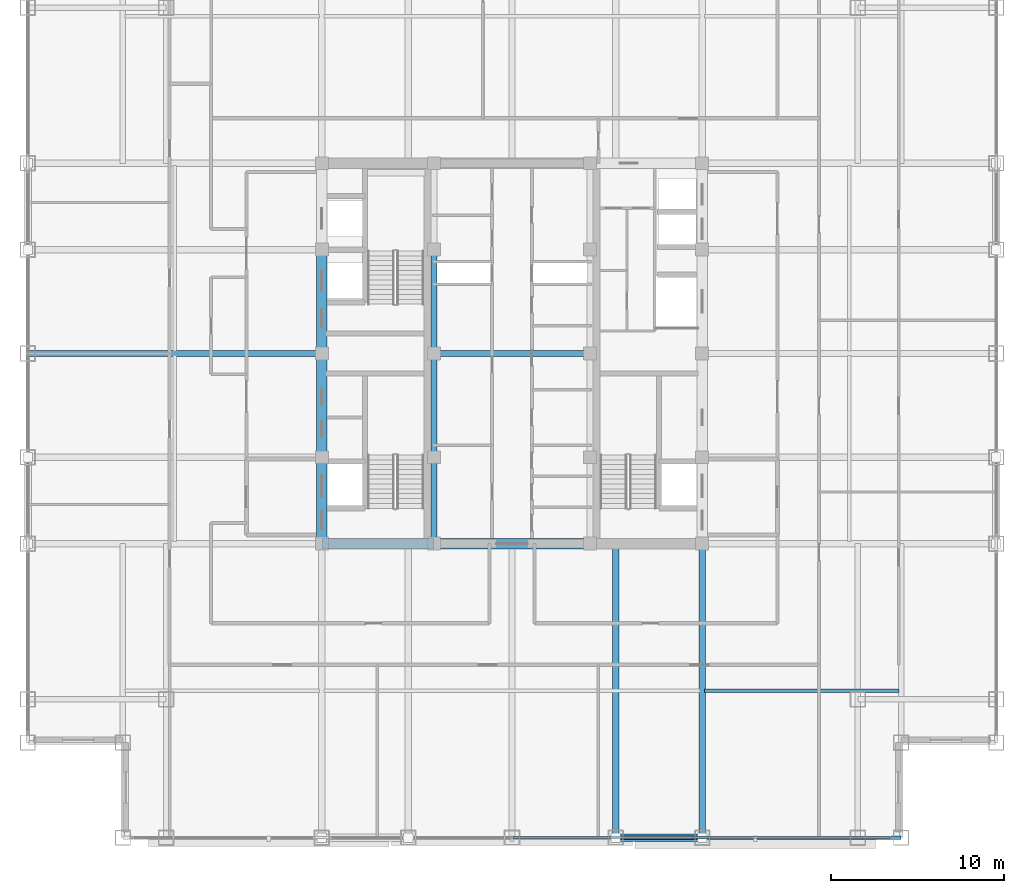
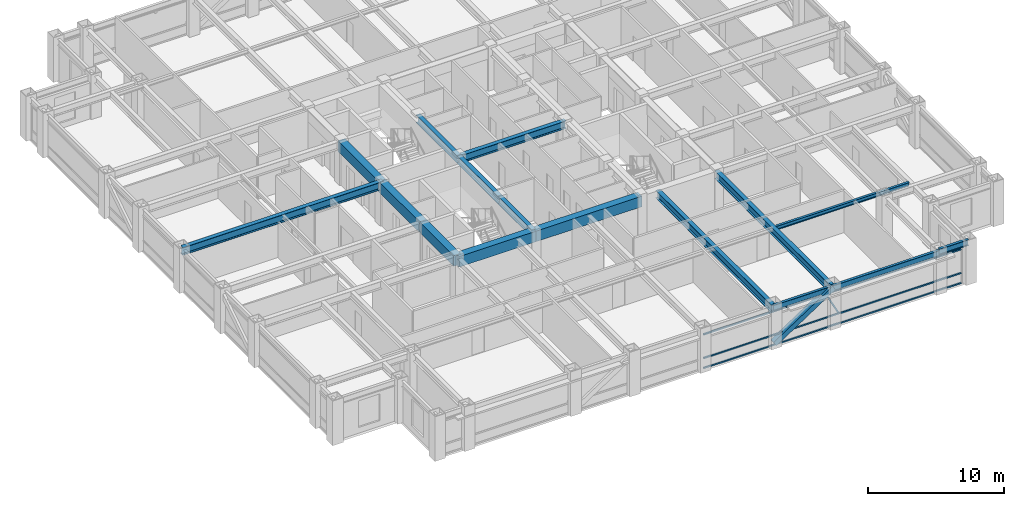
# One storey, part 7 of 27: 16 beams, 5 members, 1 element without a shape of its own.
"""IFC4 building model written with IfcOpenShell, lengths in metres."""

import ifcopenshell
import ifcopenshell.guid

model = None  # the IFC model being written
_history = None  # IfcOwnerHistory: only IFC2X3 demands one
_inside = {}  # id of a spatial element -> (the spatial element, [elements in it])
_under = {}  # id of a project, library or spatial element -> (it, [spatial elements below it])
_declared = {}  # id of a project -> (the project, [libraries it declares])
_typed = {}  # id of a type object -> (the type object, [elements of that type])
_made_of = {}  # id of a material, layer set ... -> (it, [elements and type objects made of it])


def new_model(schema):
    """Start an empty IFC model of exactly this schema.

    Asked for "IFC4X3", IfcOpenShell would pick the latest addendum, in which some entities
    have other attributes; the version numbers below select the first issue.
    IFC2X3 requires an IfcOwnerHistory on every rooted entity: one is made here for all.
    """
    global model, _history
    if schema == "IFC4X3":
        model = ifcopenshell.file(schema_version=(4, 3, 0, 0))
    else:
        model = ifcopenshell.file(schema=schema)
    _inside.clear()
    _under.clear()
    _declared.clear()
    _typed.clear()
    _made_of.clear()
    _history = None
    if model.schema == "IFC2X3":
        org = make("IfcOrganization", Name="unknown")
        user = make(
            "IfcPersonAndOrganization",
            ThePerson=make("IfcPerson", FamilyName="unknown"),
            TheOrganization=org,
        )
        app = make(
            "IfcApplication",
            ApplicationDeveloper=org,
            Version="unknown",
            ApplicationFullName="unknown",
            ApplicationIdentifier="unknown",
        )
        _history = make(
            "IfcOwnerHistory",
            OwningUser=user,
            OwningApplication=app,
            ChangeAction="ADDED",
            CreationDate=0,
        )
    return model


def make(cls, **values):
    """One entity of the class cls with the attributes given. An attribute that is None is left unset."""
    return model.create_entity(
        cls, **{name: value for name, value in values.items() if value is not None}
    )


def rooted(cls, **values):
    """An entity with a GlobalId (a new one), such as an element, a storey or a relation."""
    return make(cls, GlobalId=ifcopenshell.guid.new(), OwnerHistory=_history, **values)


def si_unit(unit_type, name, prefix=None):
    """IfcSIUnit, for example si_unit("LENGTHUNIT", "METRE", prefix="MILLI")."""
    return make("IfcSIUnit", UnitType=unit_type, Prefix=prefix, Name=name)


def assignment(units):
    """IfcUnitAssignment: the units of a project."""
    return None if units is None else make("IfcUnitAssignment", Units=units)


def point(xyz):
    """IfcCartesianPoint."""
    return None if xyz is None else make("IfcCartesianPoint", Coordinates=xyz)


def direction(xyz):
    """IfcDirection."""
    return None if xyz is None else make("IfcDirection", DirectionRatios=xyz)


def frame(location, z_axis=None, x_axis=None):
    """IfcAxis2Placement3D, a coordinate frame: its origin and axes. An axis left out is left unset."""
    return make(
        "IfcAxis2Placement3D",
        Location=point(location),
        Axis=direction(z_axis),
        RefDirection=direction(x_axis),
    )


def frame_2d(location, x_axis=None):
    """IfcAxis2Placement2D, a coordinate frame in the plane: its origin and x axis."""
    return make(
        "IfcAxis2Placement2D", Location=point(location), RefDirection=direction(x_axis)
    )


def origin():
    """The frame at (0, 0, 0) with its axes left unset."""
    return frame((0.0, 0.0, 0.0))


def origin_2d():
    """The frame at (0, 0) in the plane with its x axis left unset."""
    return frame_2d((0.0, 0.0))


def place(relative_to, where):
    """IfcLocalPlacement: puts the frame where relative to a parent placement (None: the world)."""
    return make(
        "IfcLocalPlacement", PlacementRelTo=relative_to, RelativePlacement=where
    )


def context(
    kind, dimensions, precision=None, world=None, true_north=None, identifier=None
):
    """IfcGeometricRepresentationContext, for example the 3D "Model" context."""
    return make(
        "IfcGeometricRepresentationContext",
        ContextIdentifier=identifier,
        ContextType=kind,
        CoordinateSpaceDimension=dimensions,
        Precision=precision,
        WorldCoordinateSystem=world,
        TrueNorth=true_north,
    )


def subcontext(parent, identifier, kind, view, scale=None):
    """IfcGeometricRepresentationSubContext, for example "Body" below "Model"."""
    return make(
        "IfcGeometricRepresentationSubContext",
        ContextIdentifier=identifier,
        ContextType=kind,
        ParentContext=parent,
        TargetScale=scale,
        TargetView=view,
    )


def project(units=None, contexts=None):
    """IfcProject with its units and contexts."""
    return rooted(
        "IfcProject",
        Name="project",
        RepresentationContexts=contexts,
        UnitsInContext=assignment(units),
    )


def spatial(cls, under=None, at=None, **own):
    """A site, building, storey or space (cls), placed at a placement, below another one or the project."""
    s = rooted(cls, ObjectPlacement=at, **own)
    if under is not None:
        _under.setdefault(under.id(), (under, []))[1].append(s)
    return s


def profile(cls, at=None, kind="AREA", **sizes):
    """A parametric profile (cls). Its sizes go by their IFC names, for example OverallWidth=200.0."""
    return make(cls, ProfileType=kind, Position=at, **sizes)


def rectangle(**sizes):
    """IfcRectangleProfileDef."""
    return profile("IfcRectangleProfileDef", **sizes)


def hollow_rectangle(**sizes):
    """IfcRectangleHollowProfileDef."""
    return profile("IfcRectangleHollowProfileDef", **sizes)


def i_section(**sizes):
    """IfcIShapeProfileDef."""
    return profile("IfcIShapeProfileDef", **sizes)


def extrude(swept, where, along, depth):
    """IfcExtrudedAreaSolid: the profile swept, set in the frame where, extruded along a direction by depth."""
    return make(
        "IfcExtrudedAreaSolid",
        SweptArea=swept,
        Position=where,
        ExtrudedDirection=direction(along),
        Depth=depth,
    )


def shape(context_of_items, identifier, shape_type, items):
    """IfcShapeRepresentation: the items that make up one representation, for example the "Body"."""
    return make(
        "IfcShapeRepresentation",
        ContextOfItems=context_of_items,
        RepresentationIdentifier=identifier,
        RepresentationType=shape_type,
        Items=items,
    )


def source(mapping_origin, context_of_items, identifier, shape_type, items):
    """IfcRepresentationMap: a shape defined once, which mapped items show again and again."""
    return make(
        "IfcRepresentationMap",
        MappingOrigin=mapping_origin,
        MappedRepresentation=shape(context_of_items, identifier, shape_type, items),
    )


def transform(
    local_origin,
    x_axis=None,
    y_axis=None,
    z_axis=None,
    scale=None,
    scale2=None,
    scale3=None,
    uniform=True,
):
    """IfcCartesianTransformationOperator3D, or its non-uniform kind. x_axis, y_axis, z_axis: its Axis1, 2, 3."""
    if uniform:
        return make(
            "IfcCartesianTransformationOperator3D",
            Axis1=direction(x_axis),
            Axis2=direction(y_axis),
            LocalOrigin=point(local_origin),
            Scale=scale,
            Axis3=direction(z_axis),
        )
    return make(
        "IfcCartesianTransformationOperator3DnonUniform",
        Axis1=direction(x_axis),
        Axis2=direction(y_axis),
        LocalOrigin=point(local_origin),
        Scale=scale,
        Axis3=direction(z_axis),
        Scale2=scale2,
        Scale3=scale3,
    )


def mapped(mapping_source, mapping_target):
    """IfcMappedItem: shows the shape of a source again, moved by a transform."""
    return make(
        "IfcMappedItem", MappingSource=mapping_source, MappingTarget=mapping_target
    )


def material(Name=None, Category=None):
    """IfcMaterial."""
    return make("IfcMaterial", Name=Name, Category=Category)


def material_profile(
    of_material, cross_section, Name=None, Category=None, Priority=None
):
    """IfcMaterialProfile: a cross section and its material."""
    return make(
        "IfcMaterialProfile",
        Name=Name,
        Material=of_material,
        Profile=cross_section,
        Priority=Priority,
        Category=Category,
    )


def profile_set(profiles, Name=None, composite=None):
    """IfcMaterialProfileSet."""
    return make(
        "IfcMaterialProfileSet",
        Name=Name,
        MaterialProfiles=profiles,
        CompositeProfile=composite,
    )


def made_of(thing, what):
    """Note that an element or type object is made of a material, layer set ...; save() writes the relation."""
    if what is not None:
        _made_of.setdefault(what.id(), (what, []))[1].append(thing)
    return thing


def type_object(cls, material=None, **own):
    """A type object (cls), such as IfcWallType, which elements share."""
    return made_of(rooted(cls, **own), material)


def element(
    cls,
    number,
    at=None,
    inside=None,
    cuts=None,
    type_object=None,
    material=None,
    context=None,
    identifier="Body",
    shape_type=None,
    held_by="IfcProductDefinitionShape",
    body=None,
    shapes=None,
    **own,
):
    """One element of the class cls, such as IfcWall. Its Tag is "e" and its number.

    at: its placement. inside: the storey or other place that contains it. cuts: it is an
    opening in that element (IfcRelVoidsElement). A single representation is given by context,
    identifier, shape_type and body (its items); several are given by shapes. held_by: the class
    of the entity that holds the representations. save() writes the other relations.
    """
    e = rooted(cls, Tag="e%d" % number, ObjectPlacement=at, **own)
    if body is not None:
        shapes = [shape(context, identifier, shape_type, body)]
    if shapes is not None:
        e.Representation = make(held_by, Representations=shapes)
    if inside is not None:
        _inside.setdefault(inside.id(), (inside, []))[1].append(e)
    if cuts is not None:
        rooted(
            "IfcRelVoidsElement", RelatingBuildingElement=cuts, RelatedOpeningElement=e
        )
    if type_object is not None:
        _typed.setdefault(type_object.id(), (type_object, []))[1].append(e)
    return made_of(e, material)


def aggregate(whole, parts):
    """IfcRelAggregates: a whole, such as a stair, and the parts it consists of."""
    return rooted("IfcRelAggregates", RelatingObject=whole, RelatedObjects=parts)


def save(model, path):
    """Write the relations noted so far, then the file.

    IfcRelAggregates (storeys below a building ...), IfcRelContainedInSpatialStructure (elements
    in a storey), IfcRelDefinesByType, IfcRelAssociatesMaterial and IfcRelDeclares: one each for
    every whole, place, type object, material and project.
    """
    for whole, parts in _under.values():
        aggregate(whole, parts)
    for where, things in _inside.values():
        rooted(
            "IfcRelContainedInSpatialStructure",
            RelatedElements=things,
            RelatingStructure=where,
        )
    for kind, things in _typed.values():
        rooted("IfcRelDefinesByType", RelatedObjects=things, RelatingType=kind)
    for what, things in _made_of.values():
        rooted("IfcRelAssociatesMaterial", RelatedObjects=things, RelatingMaterial=what)
    for by, libraries in _declared.values():
        rooted("IfcRelDeclares", RelatingContext=by, RelatedDefinitions=libraries)
    model.write(path)


model = new_model("IFC4")

# Units and contexts
model_context = context("Model", 3, precision=1e-05, world=origin(), true_north=direction((0.0, 1.0)))
body_context = subcontext(model_context, "Body", "Model", "MODEL_VIEW")
ifc_project = project(units=[si_unit("LENGTHUNIT", "METRE"), si_unit("AREAUNIT", "SQUARE_METRE"), si_unit("VOLUMEUNIT", "CUBIC_METRE"), si_unit("PLANEANGLEUNIT", "RADIAN"), si_unit("MASSUNIT", "GRAM", prefix="KILO")], contexts=[model_context])

# Site, building, storey
site_placement = place(None, origin())
site = spatial("IfcSite", under=ifc_project, at=site_placement, CompositionType="ELEMENT")
building_placement = place(site_placement, origin())
building = spatial("IfcBuilding", under=site, at=building_placement, Name="Khorayat Bourse Tower", CompositionType="ELEMENT")
storey_placement = place(building_placement, frame((0.0, 0.0, 317.5)))
storey = spatial("IfcBuildingStorey", under=building, at=storey_placement, Name="L75", CompositionType="ELEMENT", Elevation=317.5)

# Beams
ifc_material_1 = material(Name="Steel ASTM A992 Grade 50", Category="steel")
ifc_material_profile_1 = material_profile(ifc_material_1, i_section(OverallWidth=0.35498046875, OverallDepth=0.695068359375, WebThickness=0.015380859375, FlangeThickness=0.02490234375, FilletRadius=0.01806640625, at=origin_2d()), Name="W690X217")
ifc_profile_set_1 = profile_set([ifc_material_profile_1], Name="Steel ASTM A992 Grade 50")
beam_type_1 = type_object("IfcBeamType", Name="BM-GIRD-690", PredefinedType="BEAM", material=ifc_profile_set_1)
shared_shape_1 = source(origin(), body_context, "Body", "SweptSolid", [
    extrude(i_section(OverallWidth=0.35498046875, OverallDepth=0.695068359375, WebThickness=0.015380859375, FlangeThickness=0.02490234375, FilletRadius=0.01806640625, at=origin_2d()), origin(), (0.0, 0.0, 1.0), 5.0),
])
beam_1_placement = place(storey_placement, frame((-4.5, -11.0, 3.4326171875), z_axis=(0.0, 1.0, 0.0), x_axis=(-1.0, 0.0, 0.0)))
element("IfcBeam", 1, at=beam_1_placement, inside=storey, type_object=beam_type_1, Name="L75 BM-GIRD-690 BM-L75-CRX-05", PredefinedType="BEAM", context=body_context, shape_type="MappedRepresentation", body=[
    mapped(shared_shape_1, transform((0.0, 0.0, 0.0), scale=1.0)),
])
shared_shape_2 = source(origin(), body_context, "Body", "SweptSolid", [
    extrude(i_section(OverallWidth=0.35498046875, OverallDepth=0.695068359375, WebThickness=0.015380859375, FlangeThickness=0.02490234375, FilletRadius=0.01806640625, at=origin_2d()), origin(), (0.0, 0.0, 1.0), 6.0),
])
for number, where, z_axis, x_axis, name in (
    (2, (-4.5, -6.0, 3.4326171875), (0.0, 1.0, 0.0), (-1.0, 0.0, 0.0), "L75 BM-GIRD-690 BM-L75-CRX-06"),
    (3, (-4.5, 0.0, 3.4326171875), (0.0, 1.0, 0.0), (-1.0, 0.0, 0.0), "L75 BM-GIRD-690 BM-L75-CRX-07"),
):
    element("IfcBeam", number, at=place(storey_placement, frame(where, z_axis=z_axis, x_axis=x_axis)), inside=storey, type_object=beam_type_1, Name=name, PredefinedType="BEAM", context=body_context, shape_type="MappedRepresentation", body=[
        mapped(shared_shape_2, transform((0.0, 0.0, 0.0), scale=1.0)),
    ])
shared_shape_3 = source(origin(), body_context, "Body", "SweptSolid", [
    extrude(i_section(OverallWidth=0.35498046875, OverallDepth=0.695068359375, WebThickness=0.015380859375, FlangeThickness=0.02490234375, FilletRadius=0.01806640625, at=origin_2d()), origin(), (0.0, 0.0, 1.0), 9.0),
])
beam_2_placement = place(storey_placement, frame((-4.5, 0.0, 3.4326171875), z_axis=(1.0, 0.0, 0.0), x_axis=(0.0, 1.0, 0.0)))
element("IfcBeam", 4, at=beam_2_placement, inside=storey, type_object=beam_type_1, Name="L75 BM-GIRD-690 BM-L75-CRY-23", PredefinedType="BEAM", context=body_context, shape_type="MappedRepresentation", body=[
    mapped(shared_shape_3, transform((0.0, 0.0, 0.0), scale=1.0)),
])
ifc_material_2 = material(Name="Concrete C60/75", Category="concrete")
ifc_material_profile_2 = material_profile(ifc_material_2, rectangle(XDim=0.60009765625, YDim=0.949951171875, at=origin_2d()), Name="RC 600x950")
ifc_profile_set_2 = profile_set([ifc_material_profile_2], Name="Concrete C60/75")
beam_type_2 = type_object("IfcBeamType", Name="BM-COUP-950", PredefinedType="BEAM", material=ifc_profile_set_2)
shared_shape_4 = source(origin(), body_context, "Body", "SweptSolid", [
    extrude(rectangle(XDim=0.60009765625, YDim=0.949951171875, at=origin_2d()), origin(), (0.0, 0.0, 1.0), 5.0),
])
beam_3_placement = place(storey_placement, frame((-11.0, -11.0, 3.304931640625), z_axis=(0.0, 1.0, 0.0), x_axis=(-1.0, 0.0, 0.0)))
element("IfcBeam", 5, at=beam_3_placement, inside=storey, type_object=beam_type_2, Name="L75 BM-COUP-950 BM-L75-CRX-01", PredefinedType="BEAM", context=body_context, shape_type="MappedRepresentation", body=[
    mapped(shared_shape_4, transform((0.0, 0.0, 0.0), scale=1.0)),
])
shared_shape_5 = source(origin(), body_context, "Body", "SweptSolid", [
    extrude(rectangle(XDim=0.60009765625, YDim=0.949951171875, at=origin_2d()), origin(), (0.0, 0.0, 1.0), 6.0),
])
for number, where, z_axis, x_axis, name in (
    (6, (-11.0, -6.0, 3.304931640625), (0.0, 1.0, 0.0), (-1.0, 0.0, 0.0), "L75 BM-COUP-950 BM-L75-CRX-02"),
    (7, (-11.0, 0.0, 3.304931640625), (0.0, 1.0, 0.0), (-1.0, 0.0, 0.0), "L75 BM-COUP-950 BM-L75-CRX-03"),
):
    element("IfcBeam", number, at=place(storey_placement, frame(where, z_axis=z_axis, x_axis=x_axis)), inside=storey, type_object=beam_type_2, Name=name, PredefinedType="BEAM", context=body_context, shape_type="MappedRepresentation", body=[
        mapped(shared_shape_5, transform((0.0, 0.0, 0.0), scale=1.0)),
    ])
shared_shape_6 = source(origin(), body_context, "Body", "SweptSolid", [
    extrude(rectangle(XDim=0.60009765625, YDim=0.949951171875, at=origin_2d()), origin(), (0.0, 0.0, 1.0), 6.5),
])
beam_4_placement = place(storey_placement, frame((-11.0, -11.0, 3.304931640625), z_axis=(1.0, 0.0, 0.0), x_axis=(0.0, 1.0, 0.0)))
element("IfcBeam", 8, at=beam_4_placement, inside=storey, type_object=beam_type_2, Name="L75 BM-COUP-950 BM-L75-CRY-17", PredefinedType="BEAM", context=body_context, shape_type="MappedRepresentation", body=[
    mapped(shared_shape_6, transform((0.0, 0.0, 0.0), scale=1.0)),
])
shared_shape_7 = source(origin(), body_context, "Body", "SweptSolid", [
    extrude(rectangle(XDim=0.60009765625, YDim=0.949951171875, at=origin_2d()), origin(), (0.0, 0.0, 1.0), 9.0),
])
beam_5_placement = place(storey_placement, frame((-4.5, -11.0, 3.304931640625), z_axis=(1.0, 0.0, 0.0), x_axis=(0.0, 1.0, 0.0)))
element("IfcBeam", 9, at=beam_5_placement, inside=storey, type_object=beam_type_2, Name="L75 BM-COUP-950 BM-L75-CRY-18", PredefinedType="BEAM", context=body_context, shape_type="MappedRepresentation", body=[
    mapped(shared_shape_7, transform((0.0, 0.0, 0.0), scale=1.0)),
])

# Member
ifc_material_3 = material(Name="Steel EN 10025-4 S460M", Category="steel")
ifc_material_profile_3 = material_profile(ifc_material_3, hollow_rectangle(XDim=0.449951171875, YDim=0.449951171875, WallThickness=0.02490234375, at=origin_2d()), Name="HSS 450x450x25")
ifc_profile_set_3 = profile_set([ifc_material_profile_3], Name="Steel EN 10025-4 S460M")
member_type_1 = type_object("IfcMemberType", Name="MBR-TUBE-450", PredefinedType="BRACE", material=ifc_profile_set_3)
shared_shape_8 = source(origin(), body_context, "Body", "SweptSolid", [
    extrude(hollow_rectangle(XDim=0.449951171875, YDim=0.449951171875, WallThickness=0.02490234375, at=origin_2d()), origin(), (0.0, 0.0, 1.0), 5.979736328125),
])
member_1_placement = place(storey_placement, frame((6.0, -28.0, 0.25), z_axis=(0.836141536525, 0.0, 0.548513747227), x_axis=(0.0, 1.0, 0.0)))
element("IfcMember", 10, at=member_1_placement, inside=storey, type_object=member_type_1, Name="L75 Perimeter Tube Brace 02", PredefinedType="BRACE", context=body_context, shape_type="MappedRepresentation", body=[
    mapped(shared_shape_8, transform((0.0, 0.0, 0.0), scale=1.0)),
])

# Beams
shared_shape_9 = source(origin(), body_context, "Body", "SweptSolid", [
    extrude(i_section(OverallWidth=0.35498046875, OverallDepth=0.695068359375, WebThickness=0.015380859375, FlangeThickness=0.02490234375, FilletRadius=0.01806640625, at=origin_2d()), origin(), (0.0, 0.0, 1.0), 17.0),
])
for number, where, z_axis, x_axis, name in (
    (11, (6.0, -28.0, 3.3125), (0.0, 1.0, 0.0), (-1.0, 0.0, 0.0), "L75 BM-GIRD-690 BM-L75-RADY-071"),
    (12, (11.0, -28.0, 3.3125), (0.0, 1.0, 0.0), (-1.0, 0.0, 0.0), "L75 BM-GIRD-690 BM-L75-RADY-073"),
    (13, (-28.0, 0.0, 3.4326171875), (1.0, 0.0, 0.0), (0.0, 1.0, 0.0), "L75 BM-GIRD-690 BM-L75-RADX-079"),
):
    element("IfcBeam", number, at=place(storey_placement, frame(where, z_axis=z_axis, x_axis=x_axis)), inside=storey, type_object=beam_type_1, Name=name, PredefinedType="BEAM", context=body_context, shape_type="MappedRepresentation", body=[
        mapped(shared_shape_9, transform((0.0, 0.0, 0.0), scale=1.0)),
    ])
ifc_material_profile_4 = material_profile(ifc_material_1, i_section(OverallWidth=0.202880859375, OverallDepth=0.346923828125, WebThickness=0.0078125, FlangeThickness=0.013427734375, FilletRadius=0.010009765625, at=origin_2d()), Name="W360X64")
ifc_profile_set_4 = profile_set([ifc_material_profile_4], Name="Steel ASTM A992 Grade 50")
beam_type_3 = type_object("IfcBeamType", Name="BM-JOIST-360", PredefinedType="JOIST", material=ifc_profile_set_4)
shared_shape_10 = source(origin(), body_context, "Body", "SweptSolid", [
    extrude(i_section(OverallWidth=0.202880859375, OverallDepth=0.346923828125, WebThickness=0.0078125, FlangeThickness=0.013427734375, FilletRadius=0.010009765625, at=origin_2d()), origin(), (0.0, 0.0, 1.0), 11.240234375),
])
beam_6_placement = place(storey_placement, frame((11.1298828125, -19.5, 3.6064453125), z_axis=(1.0, 0.0, 0.0), x_axis=(0.0, 1.0, 0.0)))
element("IfcBeam", 14, at=beam_6_placement, inside=storey, type_object=beam_type_3, Name="L75 BM-JOIST-360 BM-L75-JSTX-098", PredefinedType="JOIST", context=body_context, shape_type="MappedRepresentation", body=[
    mapped(shared_shape_10, transform((0.0, 0.0, 0.0), scale=1.0)),
])
ifc_material_profile_5 = material_profile(ifc_material_1, i_section(OverallWidth=0.214111328125, OverallDepth=0.549072265625, WebThickness=0.0146484375, FlangeThickness=0.023681640625, FilletRadius=0.013916015625, at=origin_2d()), Name="W530X138")
ifc_profile_set_5 = profile_set([ifc_material_profile_5], Name="Steel ASTM A992 Grade 50")
beam_type_4 = type_object("IfcBeamType", Name="BM-SPAN-530", PredefinedType="SPANDREL", material=ifc_profile_set_5)
shared_shape_11 = source(origin(), body_context, "Body", "SweptSolid", [
    extrude(i_section(OverallWidth=0.214111328125, OverallDepth=0.549072265625, WebThickness=0.0146484375, FlangeThickness=0.023681640625, FilletRadius=0.013916015625, at=origin_2d()), origin(), (0.0, 0.0, 1.0), 2.5),
])
beam_7_placement = place(storey_placement, frame((20.0, -28.0, 3.505615234375), z_axis=(1.0, 0.0, 0.0), x_axis=(0.0, 1.0, 0.0)))
element("IfcBeam", 15, at=beam_7_placement, inside=storey, type_object=beam_type_4, Name="L75 BM-SPAN-530 BM-L75-SPN-031", PredefinedType="SPANDREL", context=body_context, shape_type="MappedRepresentation", body=[
    mapped(shared_shape_11, transform((0.0, 0.0, 0.0), scale=1.0)),
])
shared_shape_12 = source(origin(), body_context, "Body", "SweptSolid", [
    extrude(i_section(OverallWidth=0.214111328125, OverallDepth=0.549072265625, WebThickness=0.0146484375, FlangeThickness=0.023681640625, FilletRadius=0.013916015625, at=origin_2d()), origin(), (0.0, 0.0, 1.0), 9.0),
])
beam_8_placement = place(storey_placement, frame((11.0, -28.0, 3.385498046875), z_axis=(1.0, 0.0, 0.0), x_axis=(0.0, 1.0, 0.0)))
element("IfcBeam", 16, at=beam_8_placement, inside=storey, type_object=beam_type_4, Name="L75 BM-SPAN-530 BM-L75-SPN-030", PredefinedType="SPANDREL", context=body_context, shape_type="MappedRepresentation", body=[
    mapped(shared_shape_12, transform((0.0, 0.0, 0.0), scale=1.0)),
])
shared_shape_13 = source(origin(), body_context, "Body", "SweptSolid", [
    extrude(i_section(OverallWidth=0.214111328125, OverallDepth=0.549072265625, WebThickness=0.0146484375, FlangeThickness=0.023681640625, FilletRadius=0.013916015625, at=origin_2d()), origin(), (0.0, 0.0, 1.0), 5.0),
])
beam_9_placement = place(storey_placement, frame((6.0, -28.0, 3.385498046875), z_axis=(1.0, 0.0, 0.0), x_axis=(0.0, 1.0, 0.0)))
element("IfcBeam", 17, at=beam_9_placement, inside=storey, type_object=beam_type_4, Name="L75 BM-SPAN-530 BM-L75-SPN-029", PredefinedType="SPANDREL", context=body_context, shape_type="MappedRepresentation", body=[
    mapped(shared_shape_13, transform((0.0, 0.0, 0.0), scale=1.0)),
])

# Curtain wall, members
ifc_material_4 = material(Name="Aluminium EN AW-6063 T6", Category="aluminium")
curtain_wall_type = type_object("IfcCurtainWallType", Name="CW-SYS-04", PredefinedType="NOTDEFINED", material=ifc_material_4)
curtain_wall_placement = place(storey_placement, origin())
curtain_wall = element("IfcCurtainWall", 18, at=curtain_wall_placement, inside=storey, type_object=curtain_wall_type, Name="L75 Curtain Wall CW-L75-S1", PredefinedType="NOTDEFINED")
ifc_material_profile_6 = material_profile(ifc_material_4, hollow_rectangle(XDim=0.1201171875, YDim=0.1201171875, WallThickness=0.0048828125, at=origin_2d()), Name="ALU 120x120x5")
ifc_profile_set_6 = profile_set([ifc_material_profile_6], Name="Aluminium EN AW-6063 T6")
member_type_2 = type_object("IfcMemberType", Name="CWM-DIAG-120", PredefinedType="MULLION", material=ifc_profile_set_6)
shared_shape_14 = source(origin(), body_context, "Body", "SweptSolid", [
    extrude(hollow_rectangle(XDim=0.1201171875, YDim=0.1201171875, WallThickness=0.0048828125, at=origin_2d()), origin(), (0.0, 0.0, 1.0), 2.0791015625),
])
member_2_placement = place(storey_placement, frame((11.4541015625, -28.0, 1.090087890625), z_axis=(-0.465717394116, 0.0, 0.884933505309), x_axis=(0.0, -1.0, 0.0)))
member_2 = element("IfcMember", 19, at=member_2_placement, type_object=member_type_2, Name="CW-L75-S1 Faceted Diagonal Mullion 2", PredefinedType="MULLION", context=body_context, shape_type="MappedRepresentation", body=[
    mapped(shared_shape_14, transform((0.0, 0.0, 0.0), scale=1.0)),
])
ifc_material_profile_7 = material_profile(ifc_material_4, hollow_rectangle(XDim=0.1201171875, YDim=0.1201171875, WallThickness=0.0048828125, at=origin_2d()), Name="ALU 120x120x5")
ifc_profile_set_7 = profile_set([ifc_material_profile_7], Name="Aluminium EN AW-6063 T6")
member_type_3 = type_object("IfcMemberType", Name="CWT-HORZ-120", PredefinedType="USERDEFINED", material=ifc_profile_set_7)
shared_shape_15 = source(origin(), body_context, "Body", "SweptSolid", [
    extrude(hollow_rectangle(XDim=0.1201171875, YDim=0.1201171875, WallThickness=0.0048828125, at=origin_2d()), origin(), (0.0, 0.0, 1.0), 21.81982421875),
])
member_3_placement = place(storey_placement, frame((0.06005859375, -28.0, 0.06005859375), z_axis=(1.0, 0.0, 0.0), x_axis=(0.0, 1.0, 0.0)))
member_3 = element("IfcMember", 20, at=member_3_placement, type_object=member_type_3, Name="CW-L75-S1 Horizontal Transom 2-1", ObjectType="TRANSOM", PredefinedType="USERDEFINED", context=body_context, shape_type="MappedRepresentation", body=[
    mapped(shared_shape_15, transform((0.0, 0.0, 0.0), scale=1.0)),
])
member_4_placement = place(storey_placement, frame((0.06005859375, -28.0, 0.949951171875), z_axis=(1.0, 0.0, 0.0), x_axis=(0.0, 1.0, 0.0)))
member_4 = element("IfcMember", 21, at=member_4_placement, type_object=member_type_3, Name="CW-L75-S1 Horizontal Transom 2-2", ObjectType="TRANSOM", PredefinedType="USERDEFINED", context=body_context, shape_type="MappedRepresentation", body=[
    mapped(shared_shape_15, transform((0.0, 0.0, 0.0), scale=1.0)),
])
member_5_placement = place(storey_placement, frame((0.06005859375, -28.0, 3.070068359375), z_axis=(1.0, 0.0, 0.0), x_axis=(0.0, 1.0, 0.0)))
member_5 = element("IfcMember", 22, at=member_5_placement, type_object=member_type_3, Name="CW-L75-S1 Horizontal Transom 2-3", ObjectType="TRANSOM", PredefinedType="USERDEFINED", context=body_context, shape_type="MappedRepresentation", body=[
    mapped(shared_shape_15, transform((0.0, 0.0, 0.0), scale=1.0)),
])
aggregate(curtain_wall, [member_3, member_4, member_5, member_2])

save(model, "model.ifc")
